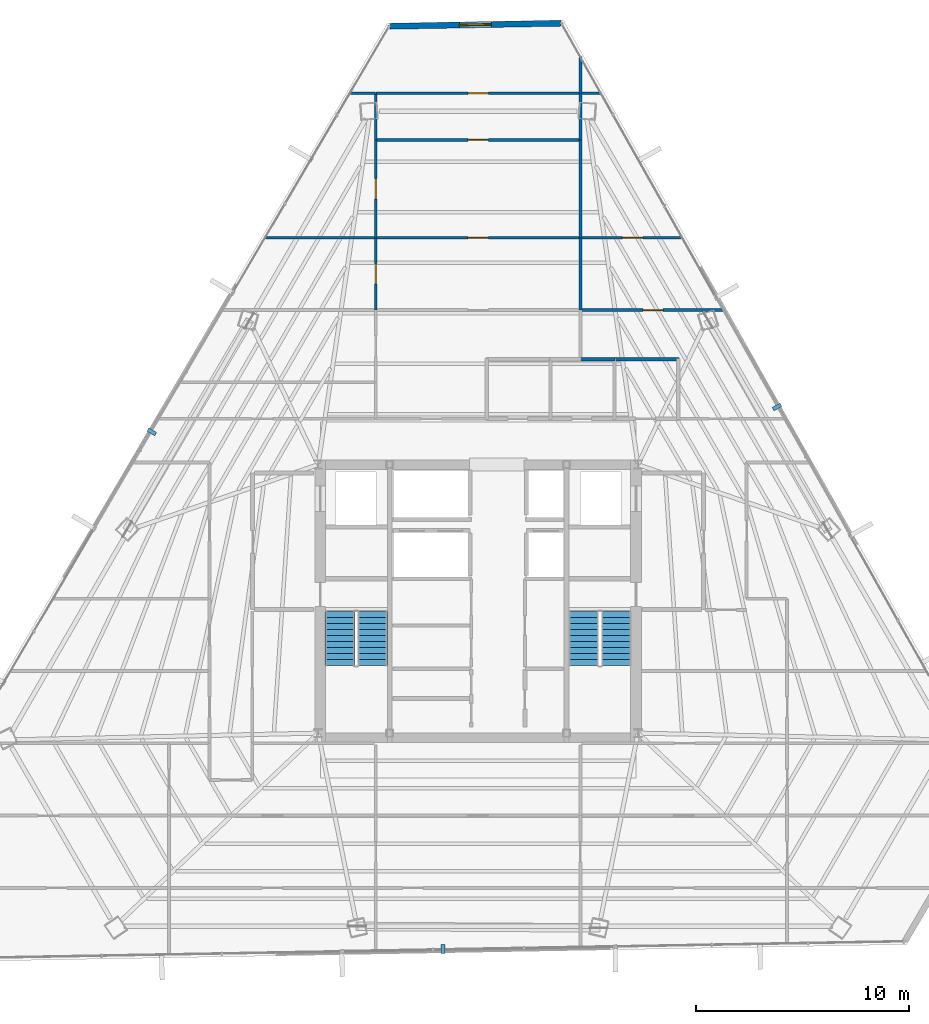
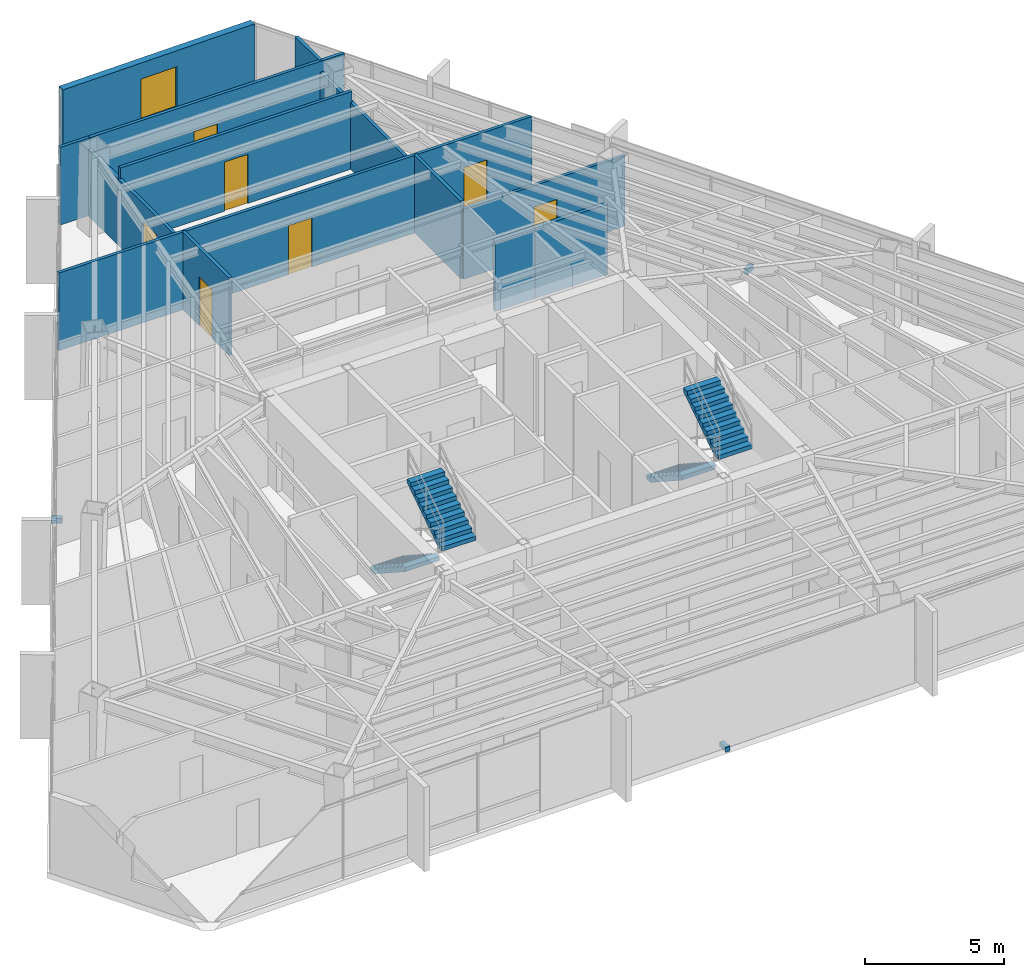
# One storey, part 38 of 42: 17 walls, 7 doors, 4 stair flights, 3 discrete accessories, 1 window, 8 openings, 2 elements without a shape of their own.
"""IFC4 building model written with IfcOpenShell, lengths in metres."""

from ifc_helpers import new_model, si_unit, direction, frame, frame_2d, origin, origin_2d, place, context, subcontext, project, spatial, polyline, rectangle, outline, extrude, source, transform, mapped, material, layer, layer_set, type_object, type_shapes, element, fill, aggregate, save


model = new_model("IFC4")

# Units and contexts
model_context = context("Model", 3, precision=1e-05, world=origin(), true_north=direction((0.0, 1.0)))
body_context = subcontext(model_context, "Body", "Model", "MODEL_VIEW")
ifc_project = project(units=[si_unit("LENGTHUNIT", "METRE"), si_unit("AREAUNIT", "SQUARE_METRE"), si_unit("VOLUMEUNIT", "CUBIC_METRE"), si_unit("PLANEANGLEUNIT", "RADIAN"), si_unit("MASSUNIT", "GRAM", prefix="KILO")], contexts=[model_context])

# Site, building, storey
site_placement = place(None, origin())
site = spatial("IfcSite", under=ifc_project, at=site_placement, CompositionType="ELEMENT")
building_placement = place(site_placement, origin())
building = spatial("IfcBuilding", under=site, at=building_placement, Name="Caelisora Broadcast Tower", CompositionType="ELEMENT")
storey_placement = place(building_placement, frame((0.0, 0.0, 202.300048828125)))
storey = spatial("IfcBuildingStorey", under=building, at=storey_placement, Name="L53", CompositionType="ELEMENT", Elevation=202.300048828125)

# Wall, opening, window
ifc_material_1 = material(Name="Insulated Terracotta Spandrel Wall System", Category="masonry")
ifc_layer_1 = layer(ifc_material_1, 0.280029296875, Name="Insulated Terracotta Spandrel Wall System")
ifc_layer_set_1 = layer_set([ifc_layer_1], Name="Insulated Terracotta Spandrel Wall System")
wall_type_1 = type_object("IfcWallType", Name="EW1", PredefinedType="STANDARD", material=ifc_layer_set_1)
wall_1_placement = place(storey_placement, frame((33.863037109375, 50.5634765625, 0.0), z_axis=(0.0, 0.0, 1.0), x_axis=(0.999843054544, 0.017716271623, 0.0)))
wall_1 = element("IfcWall", 1, at=wall_1_placement, inside=storey, type_object=wall_type_1, Name="L53 exterior envelope wall EW1", PredefinedType="STANDARD", context=body_context, shape_type="SweptSolid", body=[
    extrude(rectangle(XDim=8.020263671875, YDim=0.280029296875, at=frame_2d((4.01025390625, 0.0))), origin(), (0.0, 0.0, 1.0), 3.39990234375),
])
opening_1_placement = place(wall_1_placement, frame((3.260009765625, 0.0, 0.89990234375)))
opening_1 = element("IfcOpeningElement", 2, at=opening_1_placement, cuts=wall_1, Name="Opening W02", PredefinedType="OPENING", context=body_context, shape_type="SweptSolid", body=[
    extrude(rectangle(XDim=1.5, YDim=1.800048828125, at=frame_2d((0.75, 0.89990234375))), frame((0.0, 0.152099609375, 0.0), z_axis=(0.0, -1.0, 0.0), x_axis=(1.0, 0.0, 0.0)), (0.0, 0.0, 1.0), 0.303955078125),
])
ifc_material_2 = material(Name="Double Glazed Terracotta-Framed Vision Window", Category="glass")
window_type = type_object("IfcWindowType", Name="W02", PartitioningType="SINGLE_PANEL", PredefinedType="WINDOW", material=ifc_material_2)
window_placement = place(opening_1_placement, origin())
window = element("IfcWindow", 3, at=window_placement, inside=storey, type_object=window_type, Name="L53 window W02 (L53-WN-CH8)", OverallHeight=1.800048828125, OverallWidth=1.5, PartitioningType="SINGLE_PANEL", PredefinedType="WINDOW", context=body_context, shape_type="SweptSolid", body=[
    extrude(rectangle(XDim=1.5, YDim=1.800048828125, at=frame_2d((0.75, 0.89990234375))), frame((0.0, 0.030029296875, 0.0), z_axis=(0.0, -1.0, 0.0), x_axis=(1.0, 0.0, 0.0)), (0.0, 0.0, 1.0), 0.06005859375),
])
fill(opening_1, window)

# Wall, opening, door
ifc_material_3 = material(Name="Acoustic Steel-Stud Plasterboard Partition", Category="gypsum")
ifc_layer_2 = layer(ifc_material_3, 0.1298828125, Name="Acoustic Steel-Stud Plasterboard Partition")
ifc_layer_set_2 = layer_set([ifc_layer_2], Name="Acoustic Steel-Stud Plasterboard Partition")
wall_type_2 = type_object("IfcWallType", Name="PW3", PredefinedType="PARTITIONING", material=ifc_layer_set_2)
wall_2_placement = place(storey_placement, frame((33.205078125, 40.639892578125, 0.0), z_axis=(0.0, 0.0, 1.0), x_axis=(1.0, 0.0, 0.0)))
wall_2 = element("IfcWall", 4, at=wall_2_placement, inside=storey, type_object=wall_type_2, Name="L53 internal partition PW3", PredefinedType="PARTITIONING", context=body_context, shape_type="SweptSolid", body=[
    extrude(rectangle(XDim=9.58984375, YDim=0.1298828125, at=frame_2d((4.794921875, 0.0))), origin(), (0.0, 0.0, 1.0), 3.39990234375),
])
opening_2_placement = place(wall_2_placement, frame((4.31494140625, 0.0, 0.0)))
opening_2 = element("IfcOpeningElement", 5, at=opening_2_placement, cuts=wall_2, Name="Opening D01", PredefinedType="OPENING", context=body_context, shape_type="SweptSolid", body=[
    extrude(rectangle(XDim=0.9599609375, YDim=2.14990234375, at=frame_2d((0.47998046875, 1.074951171875))), frame((0.0, 0.076904296875, 0.0), z_axis=(0.0, -1.0, 0.0), x_axis=(1.0, 0.0, 0.0)), (0.0, 0.0, 1.0), 0.15380859375),
])
ifc_material_4 = material(Name="Solid-Core Timber Acoustic Office Door", Category="wood")
door_type = type_object("IfcDoorType", Name="D01", OperationType="NOTDEFINED", PredefinedType="DOOR", material=ifc_material_4)
door_1_placement = place(opening_2_placement, origin())
door_1 = element("IfcDoor", 6, at=door_1_placement, inside=storey, type_object=door_type, Name="L53 door D01 (L53-DR-P39D1)", OperationType="SINGLE_SWING_LEFT", OverallHeight=2.14990234375, OverallWidth=0.9599609375, PredefinedType="DOOR", context=body_context, shape_type="SweptSolid", body=[
    extrude(rectangle(XDim=0.9599609375, YDim=2.14990234375, at=frame_2d((0.47998046875, 1.074951171875))), frame((0.0, 0.02490234375, 0.0), z_axis=(0.0, -1.0, 0.0), x_axis=(1.0, 0.0, 0.0)), (0.0, 0.0, 1.0), 0.050048828125),
])
fill(opening_2, door_1)

wall_3_placement = place(storey_placement, frame((33.205078125, 45.22998046875, 0.0), z_axis=(0.0, 0.0, 1.0), x_axis=(1.0, 0.0, 0.0)))
wall_3 = element("IfcWall", 7, at=wall_3_placement, inside=storey, type_object=wall_type_2, Name="L53 internal partition PW3", PredefinedType="PARTITIONING", context=body_context, shape_type="SweptSolid", body=[
    extrude(rectangle(XDim=9.58984375, YDim=0.1298828125, at=frame_2d((4.794921875, 0.0))), origin(), (0.0, 0.0, 1.0), 3.39990234375),
])
opening_3_placement = place(wall_3_placement, frame((4.31494140625, 0.0, 0.0)))
opening_3 = element("IfcOpeningElement", 8, at=opening_3_placement, cuts=wall_3, Name="Opening D01", PredefinedType="OPENING", context=body_context, shape_type="SweptSolid", body=[
    extrude(rectangle(XDim=0.9599609375, YDim=2.14990234375, at=frame_2d((0.47998046875, 1.074951171875))), frame((0.0, 0.076904296875, 0.0), z_axis=(0.0, -1.0, 0.0), x_axis=(1.0, 0.0, 0.0)), (0.0, 0.0, 1.0), 0.15380859375),
])
door_2_placement = place(opening_3_placement, origin())
door_2 = element("IfcDoor", 9, at=door_2_placement, inside=storey, type_object=door_type, Name="L53 door D01 (L53-DR-P41D1)", OperationType="SINGLE_SWING_LEFT", OverallHeight=2.14990234375, OverallWidth=0.9599609375, PredefinedType="DOOR", context=body_context, shape_type="SweptSolid", body=[
    extrude(rectangle(XDim=0.9599609375, YDim=2.14990234375, at=frame_2d((0.47998046875, 1.074951171875))), frame((0.0, 0.02490234375, 0.0), z_axis=(0.0, -1.0, 0.0), x_axis=(1.0, 0.0, 0.0)), (0.0, 0.0, 1.0), 0.050048828125),
])
fill(opening_3, door_2)

wall_4_placement = place(storey_placement, frame((33.205078125, 47.419921875, 0.0), z_axis=(0.0, 0.0, 1.0), x_axis=(1.0, 0.0, 0.0)))
wall_4 = element("IfcWall", 10, at=wall_4_placement, inside=storey, type_object=wall_type_2, Name="L53 internal partition PW3", PredefinedType="PARTITIONING", context=body_context, shape_type="SweptSolid", body=[
    extrude(rectangle(XDim=10.5390625, YDim=0.1298828125, at=frame_2d((5.26953125, 0.0))), origin(), (0.0, 0.0, 1.0), 3.39990234375),
])
opening_4_placement = place(wall_4_placement, frame((4.31494140625, 0.0, 0.0)))
opening_4 = element("IfcOpeningElement", 11, at=opening_4_placement, cuts=wall_4, Name="Opening D01", PredefinedType="OPENING", context=body_context, shape_type="SweptSolid", body=[
    extrude(rectangle(XDim=0.9599609375, YDim=2.14990234375, at=frame_2d((0.47998046875, 1.074951171875))), frame((0.0, 0.076904296875, 0.0), z_axis=(0.0, -1.0, 0.0), x_axis=(1.0, 0.0, 0.0)), (0.0, 0.0, 1.0), 0.15380859375),
])
door_3_placement = place(opening_4_placement, origin())
door_3 = element("IfcDoor", 12, at=door_3_placement, inside=storey, type_object=door_type, Name="L53 door D01 (L53-DR-P42D1)", OperationType="SINGLE_SWING_RIGHT", OverallHeight=2.14990234375, OverallWidth=0.9599609375, PredefinedType="DOOR", context=body_context, shape_type="SweptSolid", body=[
    extrude(rectangle(XDim=0.9599609375, YDim=2.14990234375, at=frame_2d((0.47998046875, 1.074951171875))), frame((0.0, 0.02490234375, 0.0), z_axis=(0.0, -1.0, 0.0), x_axis=(1.0, 0.0, 0.0)), (0.0, 0.0, 1.0), 0.050048828125),
])
fill(opening_4, door_3)

wall_5_placement = place(storey_placement, frame((42.804931640625, 37.25, 0.0), z_axis=(0.0, 0.0, 1.0), x_axis=(1.0, 0.0, 0.0)))
wall_5 = element("IfcWall", 13, at=wall_5_placement, inside=storey, type_object=wall_type_2, Name="L53 internal partition PW3", PredefinedType="PARTITIONING", context=body_context, shape_type="SweptSolid", body=[
    extrude(rectangle(XDim=6.695556640625, YDim=0.1298828125, at=frame_2d((3.34765625, 0.0))), origin(), (0.0, 0.0, 1.0), 3.07763671875),
])
opening_5_placement = place(wall_5_placement, frame((2.922119140625, 0.0, 0.0)))
opening_5 = element("IfcOpeningElement", 14, at=opening_5_placement, cuts=wall_5, Name="Opening D01", PredefinedType="OPENING", context=body_context, shape_type="SweptSolid", body=[
    extrude(rectangle(XDim=0.9599609375, YDim=2.14990234375, at=frame_2d((0.47998046875, 1.074951171875))), frame((0.0, 0.076904296875, 0.0), z_axis=(0.0, -1.0, 0.0), x_axis=(1.0, 0.0, 0.0)), (0.0, 0.0, 1.0), 0.15380859375),
])
door_4_placement = place(opening_5_placement, origin())
door_4 = element("IfcDoor", 15, at=door_4_placement, inside=storey, type_object=door_type, Name="L53 door D01 (L53-DR-P53D1)", OperationType="SINGLE_SWING_RIGHT", OverallHeight=2.14990234375, OverallWidth=0.9599609375, PredefinedType="DOOR", context=body_context, shape_type="SweptSolid", body=[
    extrude(rectangle(XDim=0.9599609375, YDim=2.14990234375, at=frame_2d((0.47998046875, 1.074951171875))), frame((0.0, 0.02490234375, 0.0), z_axis=(0.0, -1.0, 0.0), x_axis=(1.0, 0.0, 0.0)), (0.0, 0.0, 1.0), 0.050048828125),
])
fill(opening_5, door_4)

# Wall
wall_6_placement = place(storey_placement, frame((27.99951171875, 40.639892578125, 0.0), z_axis=(0.0, 0.0, 1.0), x_axis=(1.0, 0.0, 0.0)))
element("IfcWall", 16, at=wall_6_placement, inside=storey, type_object=wall_type_2, Name="L53 internal partition PW3", PredefinedType="PARTITIONING", context=body_context, shape_type="SweptSolid", body=[
    extrude(rectangle(XDim=5.195556640625, YDim=0.1298828125, at=frame_2d((2.59765625, 0.0))), origin(), (0.0, 0.0, 1.0), 3.39990234375),
])

# Wall, opening, door
wall_7_placement = place(storey_placement, frame((42.804931640625, 40.639892578125, 0.0), z_axis=(0.0, 0.0, 1.0), x_axis=(1.0, 0.0, 0.0)))
wall_7 = element("IfcWall", 17, at=wall_7_placement, inside=storey, type_object=wall_type_2, Name="L53 internal partition PW3", PredefinedType="PARTITIONING", context=body_context, shape_type="SweptSolid", body=[
    extrude(rectangle(XDim=4.785400390625, YDim=0.1298828125, at=frame_2d((2.392578125, 0.0))), origin(), (0.0, 0.0, 1.0), 3.39990234375),
])
opening_6_placement = place(wall_7_placement, frame((1.968017578125, 0.0, 0.0)))
opening_6 = element("IfcOpeningElement", 18, at=opening_6_placement, cuts=wall_7, Name="Opening D01", PredefinedType="OPENING", context=body_context, shape_type="SweptSolid", body=[
    extrude(rectangle(XDim=0.9599609375, YDim=2.14990234375, at=frame_2d((0.47998046875, 1.074951171875))), frame((0.0, 0.076904296875, 0.0), z_axis=(0.0, -1.0, 0.0), x_axis=(1.0, 0.0, 0.0)), (0.0, 0.0, 1.0), 0.15380859375),
])
door_5_placement = place(opening_6_placement, origin())
door_5 = element("IfcDoor", 19, at=door_5_placement, inside=storey, type_object=door_type, Name="L53 door D01 (L53-DR-P62D1)", OperationType="SINGLE_SWING_RIGHT", OverallHeight=2.14990234375, OverallWidth=0.9599609375, PredefinedType="DOOR", context=body_context, shape_type="SweptSolid", body=[
    extrude(rectangle(XDim=0.9599609375, YDim=2.14990234375, at=frame_2d((0.47998046875, 1.074951171875))), frame((0.0, 0.02490234375, 0.0), z_axis=(0.0, -1.0, 0.0), x_axis=(1.0, 0.0, 0.0)), (0.0, 0.0, 1.0), 0.050048828125),
])
fill(opening_6, door_5)

# Wall
wall_8_placement = place(storey_placement, frame((42.800048828125, 40.64501953125, 0.0), z_axis=(0.0, 0.0, 1.0), x_axis=(0.0, 1.0, 0.0)))
element("IfcWall", 20, at=wall_8_placement, inside=storey, type_object=wall_type_2, Name="L53 internal partition PW3", PredefinedType="PARTITIONING", context=body_context, shape_type="SweptSolid", body=[
    extrude(rectangle(XDim=4.580078125, YDim=0.1298828125, at=frame_2d((2.2900390625, 0.0))), origin(), (0.0, 0.0, 1.0), 2.924560546875),
])

# Wall, opening, door
wall_9_placement = place(storey_placement, frame((33.199951171875, 40.64501953125, 0.0), z_axis=(0.0, 0.0, 1.0), x_axis=(0.0, 1.0, 0.0)))
wall_9 = element("IfcWall", 21, at=wall_9_placement, inside=storey, type_object=wall_type_2, Name="L53 internal partition PW3", PredefinedType="PARTITIONING", context=body_context, shape_type="SweptSolid", body=[
    extrude(rectangle(XDim=4.580078125, YDim=0.1298828125, at=frame_2d((2.2900390625, 0.0))), origin(), (0.0, 0.0, 1.0), 2.924560546875),
])
opening_7_placement = place(wall_9_placement, frame((1.81005859375, 0.0, 0.0)))
opening_7 = element("IfcOpeningElement", 22, at=opening_7_placement, cuts=wall_9, Name="Opening D01", PredefinedType="OPENING", context=body_context, shape_type="SweptSolid", body=[
    extrude(rectangle(XDim=0.9599609375, YDim=2.14990234375, at=frame_2d((0.47998046875, 1.074951171875))), frame((0.0, 0.076904296875, 0.0), z_axis=(0.0, -1.0, 0.0), x_axis=(1.0, 0.0, 0.0)), (0.0, 0.0, 1.0), 0.15380859375),
])
door_6_placement = place(opening_7_placement, origin())
door_6 = element("IfcDoor", 23, at=door_6_placement, inside=storey, type_object=door_type, Name="L53 door D01 (L53-DR-P64D1)", OperationType="SINGLE_SWING_LEFT", OverallHeight=2.14990234375, OverallWidth=0.9599609375, PredefinedType="DOOR", context=body_context, shape_type="SweptSolid", body=[
    extrude(rectangle(XDim=0.9599609375, YDim=2.14990234375, at=frame_2d((0.47998046875, 1.074951171875))), frame((0.0, 0.02490234375, 0.0), z_axis=(0.0, -1.0, 0.0), x_axis=(1.0, 0.0, 0.0)), (0.0, 0.0, 1.0), 0.050048828125),
])
fill(opening_7, door_6)

# Wall
wall_10_placement = place(storey_placement, frame((42.800048828125, 37.2548828125, 0.0), z_axis=(0.0, 0.0, 1.0), x_axis=(0.0, 1.0, 0.0)))
element("IfcWall", 24, at=wall_10_placement, inside=storey, type_object=wall_type_2, Name="L53 internal partition PW3", PredefinedType="PARTITIONING", context=body_context, shape_type="SweptSolid", body=[
    extrude(rectangle(XDim=3.380126953125, YDim=0.1298828125, at=frame_2d((1.68994140625, 0.0))), origin(), (0.0, 0.0, 1.0), 3.39990234375),
])

# Wall, opening, door
wall_11_placement = place(storey_placement, frame((33.199951171875, 37.2548828125, 0.0), z_axis=(0.0, 0.0, 1.0), x_axis=(0.0, 1.0, 0.0)))
wall_11 = element("IfcWall", 25, at=wall_11_placement, inside=storey, type_object=wall_type_2, Name="L53 internal partition PW3", PredefinedType="PARTITIONING", context=body_context, shape_type="SweptSolid", body=[
    extrude(rectangle(XDim=3.380126953125, YDim=0.1298828125, at=frame_2d((1.68994140625, 0.0))), origin(), (0.0, 0.0, 1.0), 3.39990234375),
])
opening_8_placement = place(wall_11_placement, frame((1.2099609375, 0.0, 0.0)))
opening_8 = element("IfcOpeningElement", 26, at=opening_8_placement, cuts=wall_11, Name="Opening D01", PredefinedType="OPENING", context=body_context, shape_type="SweptSolid", body=[
    extrude(rectangle(XDim=0.9599609375, YDim=2.14990234375, at=frame_2d((0.47998046875, 1.074951171875))), frame((0.0, 0.076904296875, 0.0), z_axis=(0.0, -1.0, 0.0), x_axis=(1.0, 0.0, 0.0)), (0.0, 0.0, 1.0), 0.15380859375),
])
door_7_placement = place(opening_8_placement, origin())
door_7 = element("IfcDoor", 27, at=door_7_placement, inside=storey, type_object=door_type, Name="L53 door D01 (L53-DR-P73D1)", OperationType="SINGLE_SWING_LEFT", OverallHeight=2.14990234375, OverallWidth=0.9599609375, PredefinedType="DOOR", context=body_context, shape_type="SweptSolid", body=[
    extrude(rectangle(XDim=0.9599609375, YDim=2.14990234375, at=frame_2d((0.47998046875, 1.074951171875))), frame((0.0, 0.02490234375, 0.0), z_axis=(0.0, -1.0, 0.0), x_axis=(1.0, 0.0, 0.0)), (0.0, 0.0, 1.0), 0.050048828125),
])
fill(opening_8, door_7)

# Walls
for number, where, z_axis, x_axis, name in (
    (28, (42.800048828125, 45.235107421875, 0.0), (0.0, 0.0, 1.0), (0.0, 1.0, 0.0), "L53 internal partition PW3"),
    (29, (33.199951171875, 45.235107421875, 0.0), (0.0, 0.0, 1.0), (0.0, 1.0, 0.0), "L53 internal partition PW3"),
):
    element("IfcWall", number, at=place(storey_placement, frame(where, z_axis=z_axis, x_axis=x_axis)), inside=storey, type_object=wall_type_2, Name=name, PredefinedType="PARTITIONING", context=body_context, shape_type="SweptSolid", body=[
        extrude(rectangle(XDim=2.179931640625, YDim=0.1298828125, at=frame_2d((1.08984375, 0.0))), origin(), (0.0, 0.0, 1.0), 2.924560546875),
    ])
wall_12_placement = place(storey_placement, frame((42.800048828125, 49.14111328125, 0.0), z_axis=(0.0, 0.0, 1.0), x_axis=(0.0, -1.0, 0.0)))
element("IfcWall", 30, at=wall_12_placement, inside=storey, type_object=wall_type_2, Name="L53 internal partition PW3", PredefinedType="PARTITIONING", context=body_context, shape_type="SweptSolid", body=[
    extrude(rectangle(XDim=1.716064453125, YDim=0.1298828125, at=frame_2d((0.85791015625, 0.0))), origin(), (0.0, 0.0, 1.0), 3.39990234375),
])
wall_13_placement = place(storey_placement, frame((31.9814453125, 47.419921875, 0.0), z_axis=(0.0, 0.0, 1.0), x_axis=(1.0, 0.0, 0.0)))
element("IfcWall", 31, at=wall_13_placement, inside=storey, type_object=wall_type_2, Name="L53 internal partition PW3", PredefinedType="PARTITIONING", context=body_context, shape_type="SweptSolid", body=[
    extrude(rectangle(XDim=1.213623046875, YDim=0.1298828125, at=frame_2d((0.60693359375, 0.0))), origin(), (0.0, 0.0, 1.0), 3.39990234375),
])
ifc_material_5 = material(Name="Moisture-Resistant Wet Plumbing Service Wall", Category="gypsum")
ifc_layer_3 = layer(ifc_material_5, 0.159912109375, Name="Moisture-Resistant Wet Plumbing Service Wall")
ifc_layer_set_3 = layer_set([ifc_layer_3], Name="Moisture-Resistant Wet Plumbing Service Wall")
wall_type_3 = type_object("IfcWallType", Name="PW4", PredefinedType="PLUMBINGWALL", material=ifc_layer_set_3)
wall_14_placement = place(storey_placement, frame((47.425048828125, 34.949951171875, 0.0), z_axis=(0.0, 0.0, 1.0), x_axis=(-1.0, 0.0, 0.0)))
element("IfcWall", 32, at=wall_14_placement, inside=storey, type_object=wall_type_3, Name="L53 wet plumbing wall PW4", PredefinedType="PLUMBINGWALL", context=body_context, shape_type="SweptSolid", body=[
    extrude(rectangle(XDim=3.050048828125, YDim=0.159912109375, at=frame_2d((1.52490234375, 0.0))), origin(), (0.0, 0.0, 1.0), 3.07763671875),
])
wall_15_placement = place(storey_placement, frame((42.77490234375, 34.949951171875, 0.0), z_axis=(0.0, 0.0, 1.0), x_axis=(1.0, 0.0, 0.0)))
element("IfcWall", 33, at=wall_15_placement, inside=storey, type_object=wall_type_3, Name="L53 wet plumbing wall PW4", PredefinedType="PLUMBINGWALL", context=body_context, shape_type="SweptSolid", body=[
    extrude(rectangle(XDim=1.650146484375, YDim=0.159912109375, at=frame_2d((0.8251953125, 0.0))), origin(), (0.0, 0.0, 1.0), 3.07763671875),
])

# Stair, stair flights
ifc_material_6 = material(Name="Concrete 40 MPa (AS 3600 N40)", Category="concrete")
stair_type_1 = type_object("IfcStairType", Name="ST-1", PredefinedType="HALF_TURN_STAIR", material=ifc_material_6)
stair_1_placement = place(storey_placement, origin())
stair_1 = element("IfcStair", 34, at=stair_1_placement, inside=storey, type_object=stair_type_1, Name="L53 West Fire-Isolated Tower Stair", PredefinedType="HALF_TURN_STAIR")
stair_flight_type = type_object("IfcStairFlightType", Name="STF-3", PredefinedType="STRAIGHT", material=ifc_material_6)
stair_flight_1_placement = place(storey_placement, frame((31.52001953125, 23.10009765625, 0.0), z_axis=(0.0, 0.0, 1.0), x_axis=(0.0, -1.0, 0.0)))
stair_flight_1 = element("IfcStairFlight", 35, at=stair_flight_1_placement, type_object=stair_flight_type, Name="ST-1 flight 1", NumberOfRisers=10, NumberOfTreads=9, PredefinedType="STRAIGHT", RiserHeight=0.1825, TreadLength=0.28, context=body_context, shape_type="SweptSolid", body=[
    extrude(outline(polyline([(0.0, 0.0), (0.0, 0.1826171875), (0.280029296875, 0.1826171875), (0.280029296875, 0.364990234375), (0.56005859375, 0.364990234375), (0.56005859375, 0.547607421875), (0.840087890625, 0.547607421875), (0.840087890625, 0.72998046875), (1.1201171875, 0.72998046875), (1.1201171875, 0.91259765625), (1.39990234375, 0.91259765625), (1.39990234375, 1.094970703125), (1.679931640625, 1.094970703125), (1.679931640625, 1.277587890625), (1.9599609375, 1.277587890625), (1.9599609375, 1.4599609375), (2.239990234375, 1.4599609375), (2.239990234375, 1.642578125), (2.52001953125, 1.642578125), (2.52001953125, 1.824951171875), (2.52001953125, 1.463623046875), (0.2744140625, 0.0), (0.0, 0.0)])), frame((0.0, 0.699951171875, 0.0), z_axis=(0.0, -1.0, 0.0), x_axis=(1.0, 0.0, 0.0)), (0.0, 0.0, 1.0), 1.39990234375),
])
stair_flight_2_placement = place(storey_placement, frame((33.0400390625, 20.580078125, 1.824951171875), z_axis=(0.0, 0.0, 1.0), x_axis=(0.0, 1.0, 0.0)))
stair_flight_2 = element("IfcStairFlight", 36, at=stair_flight_2_placement, type_object=stair_flight_type, Name="ST-1 flight 2", NumberOfRisers=10, NumberOfTreads=9, PredefinedType="STRAIGHT", RiserHeight=0.1825, TreadLength=0.28, context=body_context, shape_type="SweptSolid", body=[
    extrude(outline(polyline([(0.0, 0.0), (0.0, 0.1826171875), (0.280029296875, 0.1826171875), (0.280029296875, 0.364990234375), (0.56005859375, 0.364990234375), (0.56005859375, 0.547607421875), (0.840087890625, 0.547607421875), (0.840087890625, 0.72998046875), (1.1201171875, 0.72998046875), (1.1201171875, 0.91259765625), (1.39990234375, 0.91259765625), (1.39990234375, 1.094970703125), (1.679931640625, 1.094970703125), (1.679931640625, 1.277587890625), (1.9599609375, 1.277587890625), (1.9599609375, 1.4599609375), (2.239990234375, 1.4599609375), (2.239990234375, 1.642578125), (2.52001953125, 1.642578125), (2.52001953125, 1.824951171875), (2.52001953125, 1.463623046875), (0.2744140625, 0.0), (0.0, 0.0)])), frame((0.0, 0.699951171875, 0.0), z_axis=(0.0, -1.0, 0.0), x_axis=(1.0, 0.0, 0.0)), (0.0, 0.0, 1.0), 1.39990234375),
])
aggregate(stair_1, [stair_flight_1, stair_flight_2])

stair_type_2 = type_object("IfcStairType", Name="ST-2", PredefinedType="HALF_TURN_STAIR", material=ifc_material_6)
stair_2_placement = place(storey_placement, origin())
stair_2 = element("IfcStair", 37, at=stair_2_placement, inside=storey, type_object=stair_type_2, Name="L53 East Fire-Isolated Tower Stair", PredefinedType="HALF_TURN_STAIR")
stair_flight_3_placement = place(storey_placement, frame((42.9599609375, 23.10009765625, 0.0), z_axis=(0.0, 0.0, 1.0), x_axis=(0.0, -1.0, 0.0)))
stair_flight_3 = element("IfcStairFlight", 38, at=stair_flight_3_placement, type_object=stair_flight_type, Name="ST-2 flight 1", NumberOfRisers=10, NumberOfTreads=9, PredefinedType="STRAIGHT", RiserHeight=0.1825, TreadLength=0.28, context=body_context, shape_type="SweptSolid", body=[
    extrude(outline(polyline([(0.0, 0.0), (0.0, 0.1826171875), (0.280029296875, 0.1826171875), (0.280029296875, 0.364990234375), (0.56005859375, 0.364990234375), (0.56005859375, 0.547607421875), (0.840087890625, 0.547607421875), (0.840087890625, 0.72998046875), (1.1201171875, 0.72998046875), (1.1201171875, 0.91259765625), (1.39990234375, 0.91259765625), (1.39990234375, 1.094970703125), (1.679931640625, 1.094970703125), (1.679931640625, 1.277587890625), (1.9599609375, 1.277587890625), (1.9599609375, 1.4599609375), (2.239990234375, 1.4599609375), (2.239990234375, 1.642578125), (2.52001953125, 1.642578125), (2.52001953125, 1.824951171875), (2.52001953125, 1.463623046875), (0.2744140625, 0.0), (0.0, 0.0)])), frame((0.0, 0.699951171875, 0.0), z_axis=(0.0, -1.0, 0.0), x_axis=(1.0, 0.0, 0.0)), (0.0, 0.0, 1.0), 1.39990234375),
])
stair_flight_4_placement = place(storey_placement, frame((44.47998046875, 20.580078125, 1.824951171875), z_axis=(0.0, 0.0, 1.0), x_axis=(0.0, 1.0, 0.0)))
stair_flight_4 = element("IfcStairFlight", 39, at=stair_flight_4_placement, type_object=stair_flight_type, Name="ST-2 flight 2", NumberOfRisers=10, NumberOfTreads=9, PredefinedType="STRAIGHT", RiserHeight=0.1825, TreadLength=0.28, context=body_context, shape_type="SweptSolid", body=[
    extrude(outline(polyline([(0.0, 0.0), (0.0, 0.1826171875), (0.280029296875, 0.1826171875), (0.280029296875, 0.364990234375), (0.56005859375, 0.364990234375), (0.56005859375, 0.547607421875), (0.840087890625, 0.547607421875), (0.840087890625, 0.72998046875), (1.1201171875, 0.72998046875), (1.1201171875, 0.91259765625), (1.39990234375, 0.91259765625), (1.39990234375, 1.094970703125), (1.679931640625, 1.094970703125), (1.679931640625, 1.277587890625), (1.9599609375, 1.277587890625), (1.9599609375, 1.4599609375), (2.239990234375, 1.4599609375), (2.239990234375, 1.642578125), (2.52001953125, 1.642578125), (2.52001953125, 1.824951171875), (2.52001953125, 1.463623046875), (0.2744140625, 0.0), (0.0, 0.0)])), frame((0.0, 0.699951171875, 0.0), z_axis=(0.0, -1.0, 0.0), x_axis=(1.0, 0.0, 0.0)), (0.0, 0.0, 1.0), 1.39990234375),
])
aggregate(stair_2, [stair_flight_3, stair_flight_4])

# Discrete accessories
ifc_material_7 = material(Name="Steel Grade 350 (AS/NZS 3679.1)", Category="steel")
discrete_accessory_type = type_object("IfcDiscreteAccessoryType", Name="BRK-1", PredefinedType="BRACKET", material=ifc_material_7)
shared_shape = source(origin(), body_context, "Body", "SweptSolid", [
    extrude(rectangle(XDim=0.179931640625, YDim=0.419921875, at=origin_2d()), origin(), (0.0, 0.0, 1.0), 0.219970703125),
])
type_shapes(discrete_accessory_type, [shared_shape])
for number, where, z_axis, x_axis, name in (
    (40, (22.692138671875, 31.53369140625, -0.16015625), (0.0, 0.0, 1.0), (-0.506485305836, -0.862248592329, 0.0), "L53 solar screen outrigger bracket #1"),
    (41, (36.35888671875, 7.27001953125, -0.16015625), (0.0, 0.0, 1.0), (0.999841542203, 0.017801418053, 0.0), "L53 solar screen outrigger bracket #2"),
    (42, (52.023193359375, 32.7021484375, -0.16015625), (0.0, 0.0, 1.0), (-0.490903753615, 0.87121381112, 0.0), "L53 solar screen outrigger bracket #3"),
):
    element("IfcDiscreteAccessory", number, at=place(storey_placement, frame(where, z_axis=z_axis, x_axis=x_axis)), inside=storey, type_object=discrete_accessory_type, Name=name, PredefinedType="BRACKET", context=body_context, shape_type="MappedRepresentation", body=[
        mapped(shared_shape, transform((0.0, 0.0, 0.0), scale=1.0)),
    ])

save(model, "model.ifc")
